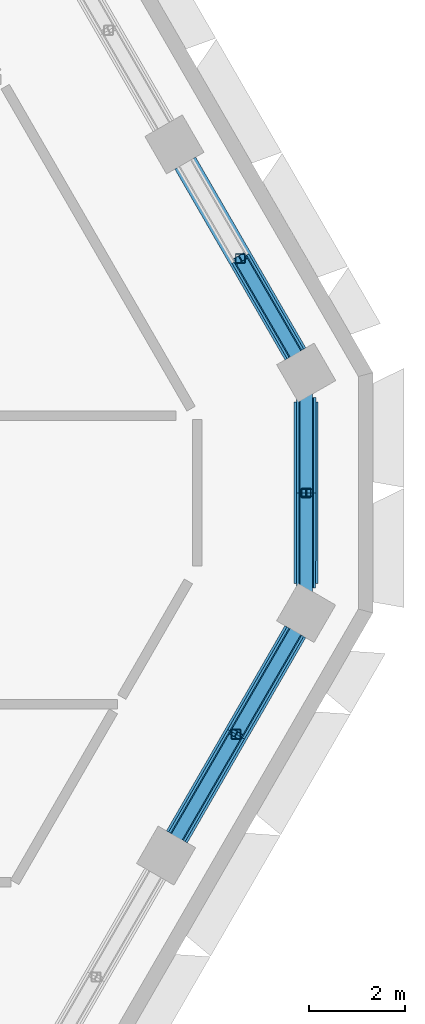
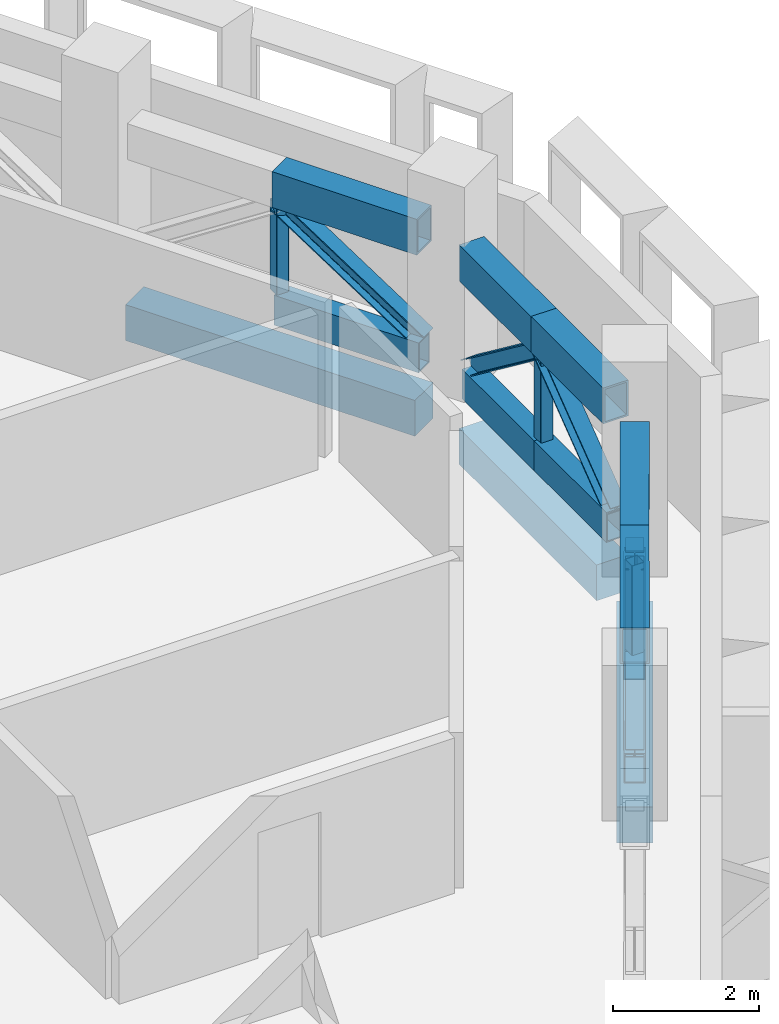
# One storey, part 6 of 22: 18 members, 3 beams.
"""IFC4 building model written with IfcOpenShell, lengths in metres."""

from ifc_helpers import new_model, si_unit, direction, frame, origin, origin_2d, place, context, subcontext, project, spatial, rectangle, hollow_rectangle, i_section, extrude, material, material_profile, profile_set, type_object, element, save


model = new_model("IFC4")

# Units and contexts
model_context = context("Model", 3, precision=1e-05, world=origin(), true_north=direction((0.0, 1.0)))
body_context = subcontext(model_context, "Body", "Model", "MODEL_VIEW")
ifc_project = project(units=[si_unit("LENGTHUNIT", "METRE"), si_unit("AREAUNIT", "SQUARE_METRE"), si_unit("VOLUMEUNIT", "CUBIC_METRE"), si_unit("PLANEANGLEUNIT", "RADIAN"), si_unit("MASSUNIT", "GRAM", prefix="KILO")], contexts=[model_context])

# Site, building, storey
site_placement = place(None, origin())
site = spatial("IfcSite", under=ifc_project, at=site_placement, CompositionType="ELEMENT")
building_placement = place(site_placement, origin())
building = spatial("IfcBuilding", under=site, at=building_placement, Name="Beryl Residences", CompositionType="ELEMENT")
storey_placement = place(building_placement, frame((0.0, 0.0, 153.60009765625)))
storey = spatial("IfcBuildingStorey", under=building, at=storey_placement, Name="L47", CompositionType="ELEMENT", Elevation=153.60009765625)

# Members
ifc_material_1 = material(Name="Steel S355", Category="steel")
ifc_material_profile_1 = material_profile(ifc_material_1, hollow_rectangle(XDim=0.300048828125, YDim=0.5, WallThickness=0.02001953125, at=origin_2d()))
ifc_profile_set_1 = profile_set([ifc_material_profile_1], Name="Steel S355")
member_type_1 = type_object("IfcMemberType", Name="BB3 belt truss bottom chord WB 500x300x20", PredefinedType="CHORD", material=ifc_profile_set_1)
member_1_placement = place(storey_placement, frame((24.27099609375, -6.760986328125, 0.25), z_axis=(0.499782473069, 0.866150956597, 0.0), x_axis=(-0.866150956597, 0.499782473069, 0.0)))
element("IfcMember", 1, at=member_1_placement, inside=storey, type_object=member_type_1, Name="Belt truss BB3-SE-3a L47", PredefinedType="CHORD", context=body_context, shape_type="SweptSolid", body=[
    extrude(hollow_rectangle(XDim=0.300048828125, YDim=0.5, WallThickness=0.02001953125, at=origin_2d()), origin(), (0.0, 0.0, 1.0), 2.46484375),
])
member_2_placement = place(storey_placement, frame((25.5029296875, -4.6259765625, 0.25), z_axis=(0.500153862642, 0.865936552921, 0.0), x_axis=(-0.865936552921, 0.500153862642, 0.0)))
element("IfcMember", 2, at=member_2_placement, inside=storey, type_object=member_type_1, Name="Belt truss BB3-SE-3b L47", PredefinedType="CHORD", context=body_context, shape_type="SweptSolid", body=[
    extrude(hollow_rectangle(XDim=0.300048828125, YDim=0.5, WallThickness=0.02001953125, at=origin_2d()), origin(), (0.0, 0.0, 1.0), 2.465576171875),
])
for number, where, z_axis, x_axis, name in (
    (3, (26.9609375, -1.58203125, 0.25), (0.000492975045, 0.999999878488, 0.0), (-0.999999878488, 0.000492975045, 0.0), "Belt truss BB3-SE-4a L47"),
    (4, (26.9619140625, 0.39892578125, 0.25), (0.000492975045, 0.999999878488, 0.0), (-0.999999878488, 0.000492975045, 0.0), "Belt truss BB3-SE-4b L47"),
):
    element("IfcMember", number, at=place(storey_placement, frame(where, z_axis=z_axis, x_axis=x_axis)), inside=storey, type_object=member_type_1, Name=name, PredefinedType="CHORD", context=body_context, shape_type="SweptSolid", body=[
        extrude(hollow_rectangle(XDim=0.300048828125, YDim=0.5, WallThickness=0.02001953125, at=origin_2d()), origin(), (0.0, 0.0, 1.0), 1.98095703125),
    ])
member_3_placement = place(storey_placement, frame((26.738037109375, 3.2900390625, 0.25), z_axis=(-0.500330826558, 0.865834316712, 0.0), x_axis=(-0.865834316712, -0.500330826558, 0.0)))
element("IfcMember", 5, at=member_3_placement, inside=storey, type_object=member_type_1, Name="Belt truss BB3-NE-0a L47", PredefinedType="CHORD", context=body_context, shape_type="SweptSolid", body=[
    extrude(hollow_rectangle(XDim=0.300048828125, YDim=0.5, WallThickness=0.02001953125, at=origin_2d()), origin(), (0.0, 0.0, 1.0), 2.29248046875),
])
ifc_material_2 = material(Name="Steel S355", Category="steel")
ifc_material_profile_2 = material_profile(ifc_material_2, i_section(OverallWidth=0.256103515625, OverallDepth=0.260009765625, WebThickness=0.010498046875, FlangeThickness=0.017333984375, FilletRadius=0.013916015625, at=origin_2d()))
ifc_profile_set_2 = profile_set([ifc_material_profile_2], Name="Steel S355")
member_type_2 = type_object("IfcMemberType", Name="BD3 belt truss diagonal 250UC90", PredefinedType="BRACE", material=ifc_profile_set_2)
member_4_placement = place(storey_placement, frame((24.27099609375, -6.760986328125, 0.5), z_axis=(0.426944080752, 0.739917952076, 0.519846300464), x_axis=(-0.866150956597, 0.499782473069, 0.0)))
element("IfcMember", 6, at=member_4_placement, inside=storey, type_object=member_type_2, Name="Belt truss BD3-SE-3a L47", PredefinedType="BRACE", context=body_context, shape_type="SweptSolid", body=[
    extrude(i_section(OverallWidth=0.256103515625, OverallDepth=0.260009765625, WebThickness=0.010498046875, FlangeThickness=0.017333984375, FilletRadius=0.013916015625, at=origin_2d()), origin(), (0.0, 0.0, 1.0), 2.885498046875),
])
member_5_placement = place(storey_placement, frame((26.736083984375, -2.490966796875, 0.5), z_axis=(-0.42728992458, -0.73978427845, 0.519752384997), x_axis=(0.865936552921, -0.500153862642, 0.0)))
element("IfcMember", 7, at=member_5_placement, inside=storey, type_object=member_type_2, Name="Belt truss BD3-SE-3b L47", PredefinedType="BRACE", context=body_context, shape_type="SweptSolid", body=[
    extrude(i_section(OverallWidth=0.256103515625, OverallDepth=0.260009765625, WebThickness=0.010498046875, FlangeThickness=0.017333984375, FilletRadius=0.013916015625, at=origin_2d()), origin(), (0.0, 0.0, 1.0), 2.885986328125),
])
for number, where, z_axis, x_axis, name in (
    (8, (26.9609375, -1.58203125, 0.5), (0.00039301578, 0.797232509706, 0.603672238062), (-0.999999878488, 0.000492975045, 0.0), "Belt truss BD3-SE-4a L47"),
    (9, (26.962890625, 2.3798828125, 0.5), (-0.00039301578, -0.797232509706, 0.603672238062), (0.999999878488, -0.000492975045, 0.0), "Belt truss BD3-SE-4b L47"),
):
    element("IfcMember", number, at=place(storey_placement, frame(where, z_axis=z_axis, x_axis=x_axis)), inside=storey, type_object=member_type_2, Name=name, PredefinedType="BRACE", context=body_context, shape_type="SweptSolid", body=[
        extrude(i_section(OverallWidth=0.256103515625, OverallDepth=0.260009765625, WebThickness=0.010498046875, FlangeThickness=0.017333984375, FilletRadius=0.013916015625, at=origin_2d()), origin(), (0.0, 0.0, 1.0), 2.48486328125),
    ])
member_6_placement = place(storey_placement, frame((26.738037109375, 3.2900390625, 0.5), z_axis=(-0.418669288504, 0.724517095687, 0.547531738733), x_axis=(-0.865834316712, -0.500330826558, 0.0)))
element("IfcMember", 10, at=member_6_placement, inside=storey, type_object=member_type_2, Name="Belt truss BD3-NE-0a L47", PredefinedType="BRACE", context=body_context, shape_type="SweptSolid", body=[
    extrude(i_section(OverallWidth=0.256103515625, OverallDepth=0.260009765625, WebThickness=0.010498046875, FlangeThickness=0.017333984375, FilletRadius=0.013916015625, at=origin_2d()), origin(), (0.0, 0.0, 1.0), 2.739501953125),
])
ifc_material_3 = material(Name="Steel S355", Category="steel")
ifc_material_profile_3 = material_profile(ifc_material_3, hollow_rectangle(XDim=0.199951171875, YDim=0.199951171875, WallThickness=0.009033203125, InnerFilletRadius=0.009033203125, OuterFilletRadius=0.01806640625, at=origin_2d()))
ifc_profile_set_3 = profile_set([ifc_material_profile_3], Name="Steel S355")
member_type_3 = type_object("IfcMemberType", Name="BQ3 belt truss post SHS 200x200x9", PredefinedType="POST", material=ifc_profile_set_3)
for number, where, z_axis, x_axis, name in (
    (11, (25.5029296875, -4.6259765625, 0.5), (0.0, 0.0, 1.0), (1.0, 0.0, 0.0), "Belt truss BQ3-SE-3 L47"),
    (12, (26.9619140625, 0.39892578125, 0.5), (0.0, 0.0, 1.0), (1.0, 0.0, 0.0), "Belt truss BQ3-SE-4 L47"),
    (13, (25.591064453125, 5.27490234375, 0.5), (0.0, 0.0, 1.0), (1.0, 0.0, 0.0), "Belt truss BQ3-NE-0 L47"),
):
    element("IfcMember", number, at=place(storey_placement, frame(where, z_axis=z_axis, x_axis=x_axis)), inside=storey, type_object=member_type_3, Name=name, PredefinedType="POST", context=body_context, shape_type="SweptSolid", body=[
        extrude(hollow_rectangle(XDim=0.199951171875, YDim=0.199951171875, WallThickness=0.009033203125, InnerFilletRadius=0.009033203125, OuterFilletRadius=0.01806640625, at=origin_2d()), origin(), (0.0, 0.0, 1.0), 1.5),
    ])
ifc_material_4 = material(Name="Steel S355", Category="steel")
ifc_material_profile_4 = material_profile(ifc_material_4, hollow_rectangle(XDim=0.39990234375, YDim=0.60009765625, WallThickness=0.030029296875, at=origin_2d()))
ifc_profile_set_4 = profile_set([ifc_material_profile_4], Name="Steel S355")
member_type_4 = type_object("IfcMemberType", Name="BT3 belt truss top chord WB 600x400x30", PredefinedType="CHORD", material=ifc_profile_set_4)
member_7_placement = place(storey_placement, frame((24.27099609375, -6.760986328125, 2.2998046875), z_axis=(0.499782473069, 0.866150956597, 0.0), x_axis=(-0.866150956597, 0.499782473069, 0.0)))
element("IfcMember", 14, at=member_7_placement, inside=storey, type_object=member_type_4, Name="Belt truss BT3-SE-3a L47", PredefinedType="CHORD", context=body_context, shape_type="SweptSolid", body=[
    extrude(hollow_rectangle(XDim=0.39990234375, YDim=0.60009765625, WallThickness=0.030029296875, at=origin_2d()), origin(), (0.0, 0.0, 1.0), 2.46484375),
])
member_8_placement = place(storey_placement, frame((25.5029296875, -4.6259765625, 2.2998046875), z_axis=(0.500153862642, 0.865936552921, 0.0), x_axis=(-0.865936552921, 0.500153862642, 0.0)))
element("IfcMember", 15, at=member_8_placement, inside=storey, type_object=member_type_4, Name="Belt truss BT3-SE-3b L47", PredefinedType="CHORD", context=body_context, shape_type="SweptSolid", body=[
    extrude(hollow_rectangle(XDim=0.39990234375, YDim=0.60009765625, WallThickness=0.030029296875, at=origin_2d()), origin(), (0.0, 0.0, 1.0), 2.465576171875),
])
for number, where, z_axis, x_axis, name in (
    (16, (26.9609375, -1.58203125, 2.2998046875), (0.000492975045, 0.999999878488, 0.0), (-0.999999878488, 0.000492975045, 0.0), "Belt truss BT3-SE-4a L47"),
    (17, (26.9619140625, 0.39892578125, 2.2998046875), (0.000492975045, 0.999999878488, 0.0), (-0.999999878488, 0.000492975045, 0.0), "Belt truss BT3-SE-4b L47"),
):
    element("IfcMember", number, at=place(storey_placement, frame(where, z_axis=z_axis, x_axis=x_axis)), inside=storey, type_object=member_type_4, Name=name, PredefinedType="CHORD", context=body_context, shape_type="SweptSolid", body=[
        extrude(hollow_rectangle(XDim=0.39990234375, YDim=0.60009765625, WallThickness=0.030029296875, at=origin_2d()), origin(), (0.0, 0.0, 1.0), 1.98095703125),
    ])
member_9_placement = place(storey_placement, frame((26.738037109375, 3.2900390625, 2.2998046875), z_axis=(-0.500330826558, 0.865834316712, 0.0), x_axis=(-0.865834316712, -0.500330826558, 0.0)))
element("IfcMember", 18, at=member_9_placement, inside=storey, type_object=member_type_4, Name="Belt truss BT3-NE-0a L47", PredefinedType="CHORD", context=body_context, shape_type="SweptSolid", body=[
    extrude(hollow_rectangle(XDim=0.39990234375, YDim=0.60009765625, WallThickness=0.030029296875, at=origin_2d()), origin(), (0.0, 0.0, 1.0), 2.29248046875),
])

# Beams
ifc_material_5 = material(Name="Concrete C60/75", Category="concrete")
ifc_material_profile_5 = material_profile(ifc_material_5, rectangle(XDim=0.5, YDim=0.60009765625, at=origin_2d()))
ifc_profile_set_5 = profile_set([ifc_material_profile_5], Name="Concrete C60/75")
beam_type = type_object("IfcBeamType", Name="SB3 spandrel beam 500 x 600 C60/75", PredefinedType="SPANDREL", material=ifc_profile_set_5)
beam_1_placement = place(storey_placement, frame((24.27099609375, -6.760986328125, -0.7001953125), z_axis=(0.499968202334, 0.866043761397, 0.0), x_axis=(-0.866043761397, 0.499968202334, 0.0)))
element("IfcBeam", 19, at=beam_1_placement, inside=storey, type_object=beam_type, Name="SB3 L47 SE-3", PredefinedType="SPANDREL", context=body_context, shape_type="SweptSolid", body=[
    extrude(rectangle(XDim=0.5, YDim=0.60009765625, at=origin_2d()), origin(), (0.0, 0.0, 1.0), 4.930419921875),
])
beam_2_placement = place(storey_placement, frame((26.9609375, -1.487060546875, -0.7001953125), z_axis=(0.00051766526, 0.999999866011, 0.0), x_axis=(-0.999999866011, 0.00051766526, 0.0)))
element("IfcBeam", 20, at=beam_2_placement, inside=storey, type_object=beam_type, Name="SB3 L47 SE-4", PredefinedType="SPANDREL", context=body_context, shape_type="SweptSolid", body=[
    extrude(rectangle(XDim=0.5, YDim=0.60009765625, at=origin_2d()), origin(), (0.0, 0.0, 1.0), 3.77294921875),
])
beam_3_placement = place(storey_placement, frame((26.738037109375, 3.2900390625, -0.7001953125), z_axis=(-0.500148059018, 0.865939904993, 0.0), x_axis=(-0.865939904993, -0.500148059018, 0.0)))
element("IfcBeam", 21, at=beam_3_placement, inside=storey, type_object=beam_type, Name="SB3 L47 NE-0", PredefinedType="SPANDREL", context=body_context, shape_type="SweptSolid", body=[
    extrude(rectangle(XDim=0.5, YDim=0.60009765625, at=origin_2d()), origin(), (0.0, 0.0, 1.0), 4.58447265625),
])

save(model, "model.ifc")
